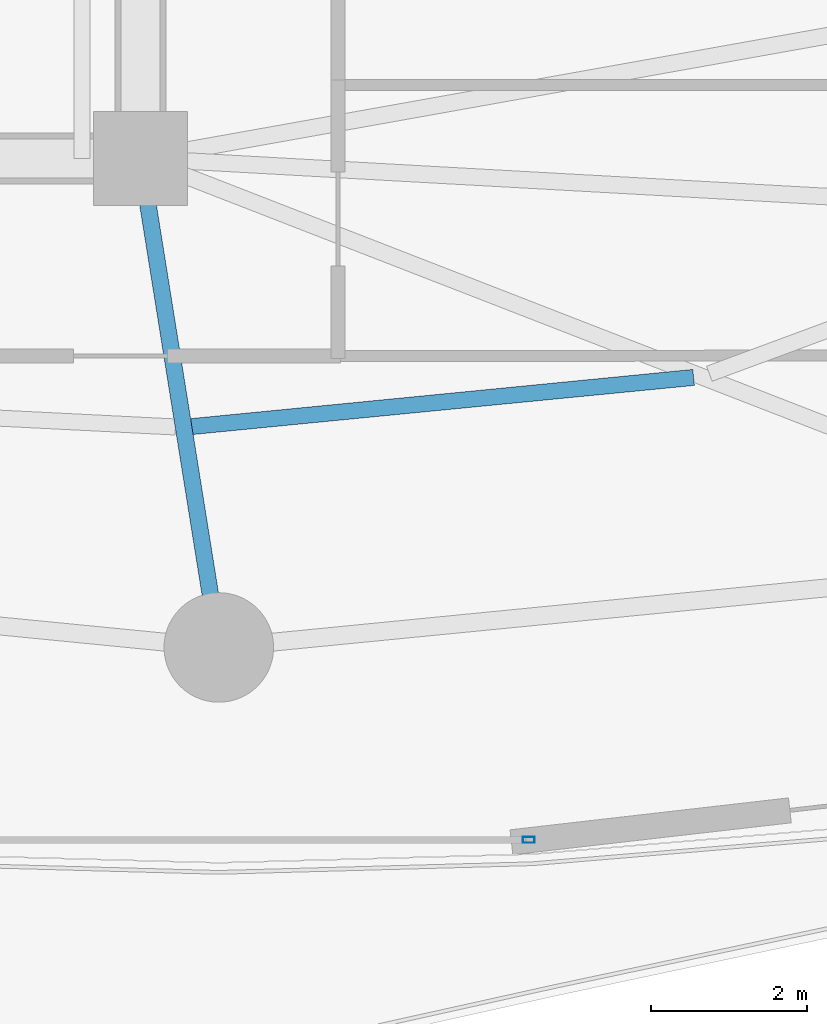
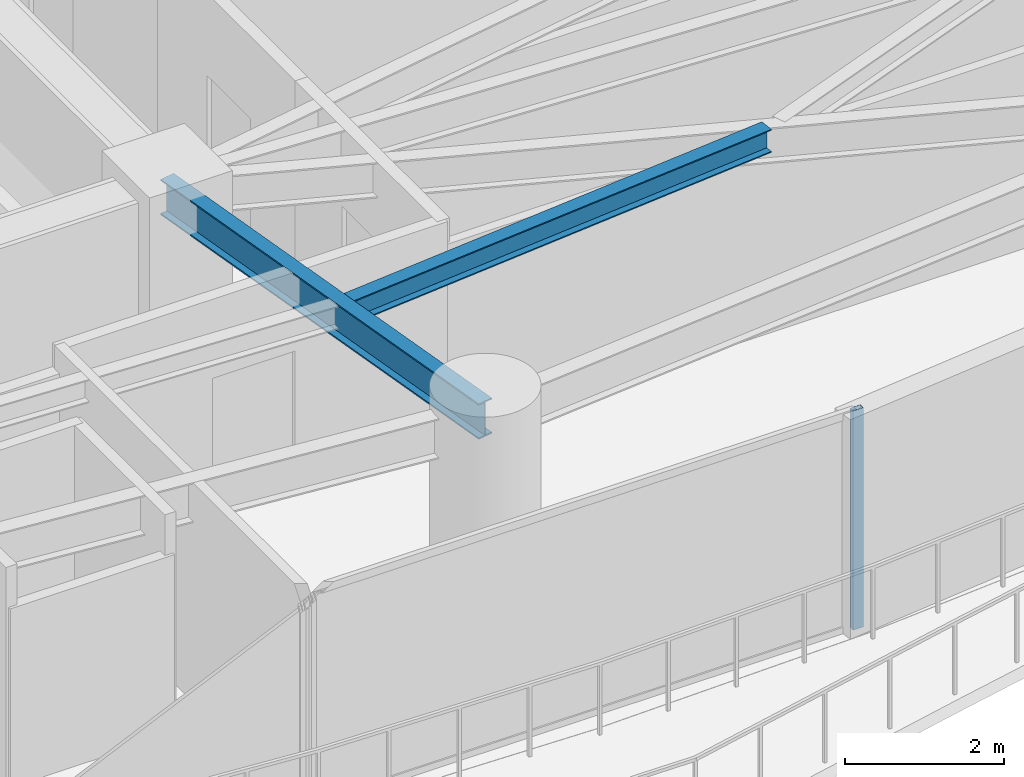
# One storey, part 10 of 31: 2 beams, 1 member, 1 element without a shape of its own.
"""IFC4 building model written with IfcOpenShell, lengths in metres."""

from ifc_helpers import new_model, si_unit, direction, frame, origin, origin_2d, place, context, subcontext, project, spatial, hollow_rectangle, i_section, extrude, material, layer, layer_set, material_profile, profile_set, type_object, element, aggregate, save


model = new_model("IFC4")

# Units and contexts
model_context = context("Model", 3, precision=1e-05, world=origin(), true_north=direction((0.0, 1.0)))
body_context = subcontext(model_context, "Body", "Model", "MODEL_VIEW")
ifc_project = project(units=[si_unit("LENGTHUNIT", "METRE"), si_unit("AREAUNIT", "SQUARE_METRE"), si_unit("VOLUMEUNIT", "CUBIC_METRE"), si_unit("PLANEANGLEUNIT", "RADIAN"), si_unit("MASSUNIT", "GRAM", prefix="KILO")], contexts=[model_context])

# Site, building, storey
site_placement = place(None, origin())
site = spatial("IfcSite", under=ifc_project, at=site_placement, CompositionType="ELEMENT")
building_placement = place(site_placement, origin())
building = spatial("IfcBuilding", under=site, at=building_placement, Name="Kazevale Care Tower and Concert Hall", CompositionType="ELEMENT")
storey_placement = place(building_placement, frame((0.0, 0.0, 56.39990234375)))
storey = spatial("IfcBuildingStorey", under=building, at=storey_placement, Name="L14", CompositionType="ELEMENT", Elevation=56.39990234375)

# Curtain wall, member
ifc_material_1 = material(Name="Aluminium 6063-T6 and Low-E Glass", Category="aluminium")
ifc_layer = layer(ifc_material_1, 0.179931640625)
ifc_layer_set = layer_set([ifc_layer], Name="Aluminium 6063-T6 and Low-E Glass")
curtain_wall_type = type_object("IfcCurtainWallType", Name="Sheltered Concave Balcony Curtain Wall CW-5", PredefinedType="NOTDEFINED", material=ifc_layer_set)
curtain_wall_placement = place(storey_placement, origin())
curtain_wall = element("IfcCurtainWall", 1, at=curtain_wall_placement, inside=storey, type_object=curtain_wall_type, Name="cw:L14:f06", PredefinedType="NOTDEFINED")
ifc_material_2 = material(Name="Aluminium 6063-T6", Category="aluminium")
ifc_material_profile_1 = material_profile(ifc_material_2, hollow_rectangle(XDim=0.074951171875, YDim=0.14990234375, WallThickness=0.00390625, at=origin_2d()), Name="ALU75x150x4")
ifc_profile_set_1 = profile_set([ifc_material_profile_1], Name="Aluminium 6063-T6")
member_type = type_object("IfcMemberType", Name="CW-5 Mullion ALU75x150x4", PredefinedType="MULLION", material=ifc_profile_set_1)
member_placement = place(storey_placement, frame((48.96044921875, 14.889892578125, 0.0), z_axis=(0.0, 0.0, 1.0), x_axis=(0.0, -1.0, 0.0)))
member = element("IfcMember", 2, at=member_placement, type_object=member_type, Name="CW-5 mullion 1", PredefinedType="MULLION", context=body_context, shape_type="SweptSolid", body=[
    extrude(hollow_rectangle(XDim=0.074951171875, YDim=0.14990234375, WallThickness=0.00390625, at=origin_2d()), origin(), (0.0, 0.0, 1.0), 3.360107421875),
])
aggregate(curtain_wall, [member])

# Beams
ifc_material_3 = material(Name="Steel ASTM A572 Gr 50", Category="steel")
ifc_material_profile_2 = material_profile(ifc_material_3, i_section(OverallWidth=0.2119140625, OverallDepth=0.5439453125, WebThickness=0.01318359375, FlangeThickness=0.021240234375, at=origin_2d()), Name="W530x123")
ifc_profile_set_2 = profile_set([ifc_material_profile_2], Name="Steel ASTM A572 Gr 50")
beam_type_1 = type_object("IfcBeamType", Name="Radial Floor Girder W530x123", PredefinedType="BEAM", material=ifc_profile_set_2)
beam_1_placement = place(storey_placement, frame((44.0, 23.60009765625, 3.088134765625), z_axis=(0.157990501107, -0.987440631917, 0.0), x_axis=(0.987440631917, 0.157990501107, 0.0)))
element("IfcBeam", 3, at=beam_1_placement, inside=storey, type_object=beam_type_1, Name="beam:L14:rad:13", PredefinedType="BEAM", context=body_context, shape_type="SweptSolid", body=[
    extrude(i_section(OverallWidth=0.2119140625, OverallDepth=0.5439453125, WebThickness=0.01318359375, FlangeThickness=0.021240234375, at=origin_2d()), origin(), (0.0, 0.0, 1.0), 6.32958984375),
])
ifc_material_profile_3 = material_profile(ifc_material_3, i_section(OverallWidth=0.205078125, OverallDepth=0.35400390625, WebThickness=0.009521484375, FlangeThickness=0.016845703125, at=origin_2d()), Name="W360x79")
ifc_profile_set_3 = profile_set([ifc_material_profile_3], Name="Steel ASTM A572 Gr 50")
beam_type_2 = type_object("IfcBeamType", Name="Secondary Floor Joist W360x79", PredefinedType="JOIST", material=ifc_profile_set_3)
beam_2_placement = place(storey_placement, frame((44.654052734375, 20.173095703125, 3.18310546875), z_axis=(0.995242075791, 0.097433108212, 0.0), x_axis=(-0.097433108212, 0.995242075791, 0.0)))
element("IfcBeam", 4, at=beam_2_placement, inside=storey, type_object=beam_type_2, Name="beam:L14:joist:13", PredefinedType="JOIST", context=body_context, shape_type="SweptSolid", body=[
    extrude(i_section(OverallWidth=0.205078125, OverallDepth=0.35400390625, WebThickness=0.009521484375, FlangeThickness=0.016845703125, at=origin_2d()), origin(), (0.0, 0.0, 1.0), 6.44482421875),
])

save(model, "model.ifc")
